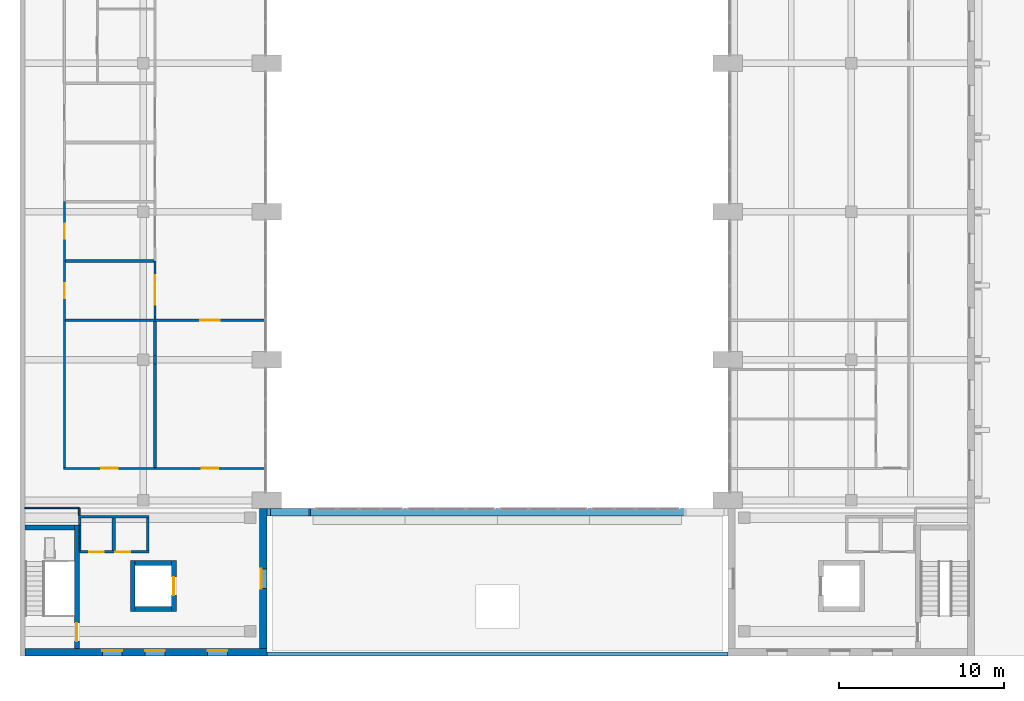
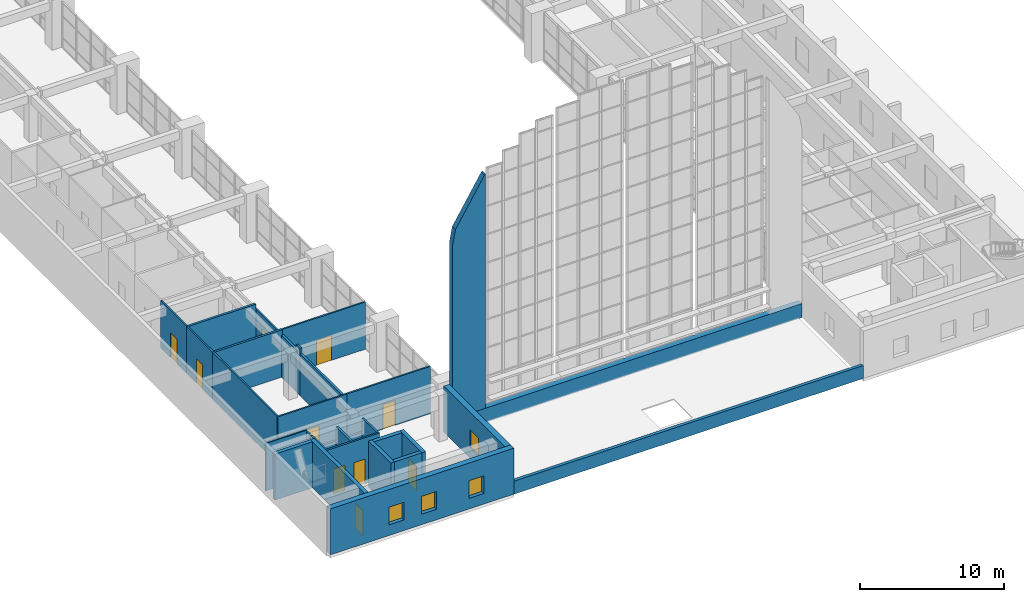
# One storey, part 25 of 45: 31 walls, 10 doors, 4 windows, 14 openings.
"""IFC4 building model written with IfcOpenShell, lengths in metres."""

from ifc_helpers import new_model, si_unit, direction, frame, frame_2d, origin, place, context, subcontext, project, spatial, polyline, rectangle, outline, extrude, material, layer, layer_set, type_object, element, fill, save


model = new_model("IFC4")

# Units and contexts
model_context = context("Model", 3, precision=1e-05, world=origin(), true_north=direction((0.0, 1.0)))
body_context = subcontext(model_context, "Body", "Model", "MODEL_VIEW")
ifc_project = project(units=[si_unit("LENGTHUNIT", "METRE"), si_unit("AREAUNIT", "SQUARE_METRE"), si_unit("VOLUMEUNIT", "CUBIC_METRE"), si_unit("PLANEANGLEUNIT", "RADIAN"), si_unit("MASSUNIT", "GRAM", prefix="KILO")], contexts=[model_context])

# Site, building, storey
site_placement = place(None, origin())
site = spatial("IfcSite", under=ifc_project, at=site_placement, CompositionType="ELEMENT")
building_placement = place(site_placement, origin())
building = spatial("IfcBuilding", under=site, at=building_placement, Name="Elmora Arch Market Hall", CompositionType="ELEMENT")
storey_placement = place(building_placement, frame((0.0, 0.0, 6.0)))
storey = spatial("IfcBuildingStorey", under=building, at=storey_placement, Name="L01", CompositionType="ELEMENT", Elevation=6.0)

# Walls
ifc_material_1 = material(Name="Blockwork", Category="masonry")
ifc_layer_1 = layer(ifc_material_1, 0.10009765625)
ifc_layer_set_1 = layer_set([ifc_layer_1], Name="Blockwork")
wall_type_1 = type_object("IfcWallType", Name="Blockwork partition 100 EI 120", PredefinedType="PARTITIONING", material=ifc_layer_set_1)
wall_1_placement = place(storey_placement, frame((3.64990234375, 24.39990234375, 0.0), z_axis=(0.0, 0.0, 1.0), x_axis=(0.0, 1.0, 0.0)))
element("IfcWall", 1, at=wall_1_placement, inside=storey, type_object=wall_type_1, Name="Riser wall L01 04", PredefinedType="PARTITIONING", context=body_context, shape_type="SweptSolid", body=[
    extrude(rectangle(XDim=1.550048828125, YDim=0.10009765625, at=frame_2d((0.77490234375, 0.0))), origin(), (0.0, 0.0, 1.0), 3.89990234375),
])
ifc_material_2 = material(Name="Blockwork", Category="masonry")
ifc_layer_2 = layer(ifc_material_2, 0.14990234375)
ifc_layer_set_2 = layer_set([ifc_layer_2], Name="Blockwork")
wall_type_2 = type_object("IfcWallType", Name="Blockwork partition 150 EI 120", PredefinedType="PARTITIONING", material=ifc_layer_set_2)
wall_2_placement = place(storey_placement, frame((3.625, 25.949951171875, 0.0), z_axis=(0.0, 0.0, 1.0), x_axis=(0.0, 1.0, 0.0)))
element("IfcWall", 2, at=wall_2_placement, inside=storey, type_object=wall_type_2, Name="Riser wall L01 01", PredefinedType="PARTITIONING", context=body_context, shape_type="SweptSolid", body=[
    extrude(rectangle(XDim=0.449951171875, YDim=0.14990234375, at=frame_2d((0.22509765625, 0.0))), origin(), (0.0, 0.0, 1.0), 3.89990234375),
])
wall_3_placement = place(storey_placement, frame((3.550048828125, 26.47509765625, 0.0), z_axis=(0.0, 0.0, 1.0), x_axis=(1.0, 0.0, 0.0)))
element("IfcWall", 3, at=wall_3_placement, inside=storey, type_object=wall_type_2, Name="Riser wall L01 02", PredefinedType="PARTITIONING", context=body_context, shape_type="SweptSolid", body=[
    extrude(rectangle(XDim=4.300048828125, YDim=0.14990234375, at=frame_2d((2.14990234375, 0.0))), origin(), (0.0, 0.0, 1.0), 2.699951171875),
])

# Wall, openings, doors
wall_4_placement = place(storey_placement, frame((3.60009765625, 24.324951171875, 0.0), z_axis=(0.0, 0.0, 1.0), x_axis=(1.0, 0.0, 0.0)))
wall_4 = element("IfcWall", 4, at=wall_4_placement, inside=storey, type_object=wall_type_2, Name="Riser wall L01 03", PredefinedType="PARTITIONING", context=body_context, shape_type="SweptSolid", body=[
    extrude(rectangle(XDim=4.25, YDim=0.14990234375, at=frame_2d((2.125, 0.0))), origin(), (0.0, 0.0, 1.0), 3.89990234375),
])
opening_1_placement = place(wall_4_placement, frame((0.60009765625, 0.0, 0.0)))
opening_1 = element("IfcOpeningElement", 5, at=opening_1_placement, cuts=wall_4, Name="Opening D-L01-001", PredefinedType="OPENING", context=body_context, shape_type="SweptSolid", body=[
    extrude(rectangle(XDim=0.89990234375, YDim=2.10009765625, at=frame_2d((0.449951171875, 1.050048828125))), frame((0.0, 0.0849609375, 0.0), z_axis=(0.0, -1.0, 0.0), x_axis=(1.0, 0.0, 0.0)), (0.0, 0.0, 1.0), 0.169921875),
])
opening_2_placement = place(wall_4_placement, frame((2.199951171875, 0.0, 0.0)))
opening_2 = element("IfcOpeningElement", 6, at=opening_2_placement, cuts=wall_4, Name="Opening D-L01-002", PredefinedType="OPENING", context=body_context, shape_type="SweptSolid", body=[
    extrude(rectangle(XDim=0.89990234375, YDim=2.10009765625, at=frame_2d((0.449951171875, 1.050048828125))), frame((0.0, 0.0849609375, 0.0), z_axis=(0.0, -1.0, 0.0), x_axis=(1.0, 0.0, 0.0)), (0.0, 0.0, 1.0), 0.169921875),
])
ifc_material_3 = material(Name="Steel ASTM A653 galvanised", Category="steel")
door_type_1 = type_object("IfcDoorType", Name="Door 900 x 2100 FD90", OperationType="SINGLE_SWING_LEFT", PredefinedType="DOOR", material=ifc_material_3)
door_1_placement = place(opening_1_placement, origin())
door_1 = element("IfcDoor", 7, at=door_1_placement, inside=storey, type_object=door_type_1, Name="Riser access door D-L01-001", OperationType="SINGLE_SWING_LEFT", OverallHeight=2.10009765625, OverallWidth=0.89990234375, PredefinedType="DOOR", context=body_context, shape_type="SweptSolid", body=[
    extrude(rectangle(XDim=0.89990234375, YDim=2.10009765625, at=frame_2d((0.449951171875, 1.050048828125))), frame((0.0, 0.02490234375, 0.0), z_axis=(0.0, -1.0, 0.0), x_axis=(1.0, 0.0, 0.0)), (0.0, 0.0, 1.0), 0.050048828125),
])
fill(opening_1, door_1)
door_2_placement = place(opening_2_placement, origin())
door_2 = element("IfcDoor", 8, at=door_2_placement, inside=storey, type_object=door_type_1, Name="Riser access door D-L01-002", OperationType="SINGLE_SWING_LEFT", OverallHeight=2.10009765625, OverallWidth=0.89990234375, PredefinedType="DOOR", context=body_context, shape_type="SweptSolid", body=[
    extrude(rectangle(XDim=0.89990234375, YDim=2.10009765625, at=frame_2d((0.449951171875, 1.050048828125))), frame((0.0, 0.02490234375, 0.0), z_axis=(0.0, -1.0, 0.0), x_axis=(1.0, 0.0, 0.0)), (0.0, 0.0, 1.0), 0.050048828125),
])
fill(opening_2, door_2)

# Walls
wall_5_placement = place(storey_placement, frame((7.77490234375, 24.39990234375, 0.0), z_axis=(0.0, 0.0, 1.0), x_axis=(0.0, 1.0, 0.0)))
element("IfcWall", 9, at=wall_5_placement, inside=storey, type_object=wall_type_2, Name="Riser wall L01 14", PredefinedType="PARTITIONING", context=body_context, shape_type="SweptSolid", body=[
    extrude(rectangle(XDim=2.0, YDim=0.14990234375, at=frame_2d((1.0, 0.0))), origin(), (0.0, 0.0, 1.0), 3.89990234375),
])
ifc_material_4 = material(Name="Blockwork", Category="masonry")
ifc_layer_3 = layer(ifc_material_4, 0.199951171875)
ifc_layer_set_3 = layer_set([ifc_layer_3], Name="Blockwork")
wall_type_3 = type_object("IfcWallType", Name="Blockwork partition 200 EI 120", PredefinedType="PARTITIONING", material=ifc_layer_set_3)
wall_6_placement = place(storey_placement, frame((5.699951171875, 24.39990234375, 0.0), z_axis=(0.0, 0.0, 1.0), x_axis=(0.0, 1.0, 0.0)))
element("IfcWall", 10, at=wall_6_placement, inside=storey, type_object=wall_type_3, Name="Riser wall L01 11", PredefinedType="PARTITIONING", context=body_context, shape_type="SweptSolid", body=[
    extrude(rectangle(XDim=2.0, YDim=0.199951171875, at=frame_2d((1.0, 0.0))), origin(), (0.0, 0.0, 1.0), 3.89990234375),
])
ifc_material_5 = material(Name="Concrete C40/50", Category="concrete")
ifc_layer_4 = layer(ifc_material_5, 0.449951171875)
ifc_layer_set_4 = layer_set([ifc_layer_4], Name="Concrete C40/50")
wall_type_4 = type_object("IfcWallType", Name="Board-marked concrete wall 450", PredefinedType="SOLIDWALL", material=ifc_layer_set_4)
wall_7_placement = place(storey_placement, frame((43.0, 26.72509765625, 0.0), z_axis=(0.0, 0.0, 1.0), x_axis=(-1.0, 0.0, 0.0)))
element("IfcWall", 11, at=wall_7_placement, inside=storey, type_object=wall_type_4, Name="South gable kerb wall", PredefinedType="SOLIDWALL", context=body_context, shape_type="SweptSolid", body=[
    extrude(rectangle(XDim=28.0, YDim=0.449951171875, at=frame_2d((14.0, 0.0))), origin(), (0.0, 0.0, 1.0), 1.199951171875),
])

# Wall, openings, windows
wall_8_placement = place(storey_placement, frame((15.0, 18.22509765625, 0.0), z_axis=(0.0, 0.0, 1.0), x_axis=(-1.0, 0.0, 0.0)))
wall_8 = element("IfcWall", 12, at=wall_8_placement, inside=storey, type_object=wall_type_4, Name="Facade wall south SW L01", PredefinedType="SOLIDWALL", context=body_context, shape_type="SweptSolid", body=[
    extrude(rectangle(XDim=14.699951171875, YDim=0.449951171875, at=frame_2d((7.35009765625, 0.0))), origin(), (0.0, 0.0, 1.0), 3.89990234375),
])
opening_3_placement = place(wall_8_placement, frame((8.800048828125, 0.0, 0.89990234375)))
opening_3 = element("IfcOpeningElement", 13, at=opening_3_placement, cuts=wall_8, Name="Opening WC1", PredefinedType="OPENING", context=body_context, shape_type="SweptSolid", body=[
    extrude(rectangle(XDim=1.199951171875, YDim=1.5, at=frame_2d((0.60009765625, 0.75))), frame((0.0, 0.23486328125, 0.0), z_axis=(0.0, -1.0, 0.0), x_axis=(1.0, 0.0, 0.0)), (0.0, 0.0, 1.0), 0.469970703125),
])
opening_4_placement = place(wall_8_placement, frame((6.199951171875, 0.0, 0.89990234375)))
opening_4 = element("IfcOpeningElement", 14, at=opening_4_placement, cuts=wall_8, Name="Opening WC1", PredefinedType="OPENING", context=body_context, shape_type="SweptSolid", body=[
    extrude(rectangle(XDim=1.199951171875, YDim=1.5, at=frame_2d((0.60009765625, 0.75))), frame((0.0, 0.23486328125, 0.0), z_axis=(0.0, -1.0, 0.0), x_axis=(1.0, 0.0, 0.0)), (0.0, 0.0, 1.0), 0.469970703125),
])
opening_5_placement = place(wall_8_placement, frame((2.39990234375, 0.0, 0.89990234375)))
opening_5 = element("IfcOpeningElement", 15, at=opening_5_placement, cuts=wall_8, Name="Opening WC1", PredefinedType="OPENING", context=body_context, shape_type="SweptSolid", body=[
    extrude(rectangle(XDim=1.199951171875, YDim=1.5, at=frame_2d((0.60009765625, 0.75))), frame((0.0, 0.23486328125, 0.0), z_axis=(0.0, -1.0, 0.0), x_axis=(1.0, 0.0, 0.0)), (0.0, 0.0, 1.0), 0.469970703125),
])
ifc_material_6 = material(Name="Aluminium", Category="aluminium")
window_type = type_object("IfcWindowType", Name="Corner block window 1200x1500", PartitioningType="SINGLE_PANEL", PredefinedType="WINDOW", material=ifc_material_6)
window_1_placement = place(opening_3_placement, origin())
window_1 = element("IfcWindow", 16, at=window_1_placement, inside=storey, type_object=window_type, Name="Window WC1 L01 S45", OverallHeight=1.5, OverallWidth=1.199951171875, PartitioningType="SINGLE_PANEL", PredefinedType="WINDOW", context=body_context, shape_type="SweptSolid", body=[
    extrude(rectangle(XDim=1.199951171875, YDim=1.5, at=frame_2d((0.60009765625, 0.75))), frame((0.0, -0.074951171875, 0.0), z_axis=(0.0, -1.0, 0.0), x_axis=(1.0, 0.0, 0.0)), (0.0, 0.0, 1.0), 0.06005859375),
])
fill(opening_3, window_1)
window_2_placement = place(opening_4_placement, origin())
window_2 = element("IfcWindow", 17, at=window_2_placement, inside=storey, type_object=window_type, Name="Window WC1 L01 S46", OverallHeight=1.5, OverallWidth=1.199951171875, PartitioningType="SINGLE_PANEL", PredefinedType="WINDOW", context=body_context, shape_type="SweptSolid", body=[
    extrude(rectangle(XDim=1.199951171875, YDim=1.5, at=frame_2d((0.60009765625, 0.75))), frame((0.0, -0.074951171875, 0.0), z_axis=(0.0, -1.0, 0.0), x_axis=(1.0, 0.0, 0.0)), (0.0, 0.0, 1.0), 0.06005859375),
])
fill(opening_4, window_2)
window_3_placement = place(opening_5_placement, origin())
window_3 = element("IfcWindow", 18, at=window_3_placement, inside=storey, type_object=window_type, Name="Window WC1 L01 S47", OverallHeight=1.5, OverallWidth=1.199951171875, PartitioningType="SINGLE_PANEL", PredefinedType="WINDOW", context=body_context, shape_type="SweptSolid", body=[
    extrude(rectangle(XDim=1.199951171875, YDim=1.5, at=frame_2d((0.60009765625, 0.75))), frame((0.0, -0.074951171875, 0.0), z_axis=(0.0, -1.0, 0.0), x_axis=(1.0, 0.0, 0.0)), (0.0, 0.0, 1.0), 0.06005859375),
])
fill(opening_5, window_3)

# Wall, opening, window
wall_9_placement = place(storey_placement, frame((14.77490234375, 26.949951171875, 0.0), z_axis=(0.0, 0.0, 1.0), x_axis=(0.0, -1.0, 0.0)))
wall_9 = element("IfcWall", 19, at=wall_9_placement, inside=storey, type_object=wall_type_4, Name="Facade wall SW E face L01", PredefinedType="SOLIDWALL", context=body_context, shape_type="SweptSolid", body=[
    extrude(rectangle(XDim=8.5, YDim=0.449951171875, at=frame_2d((4.25, 0.0))), origin(), (0.0, 0.0, 1.0), 3.89990234375),
])
opening_6_placement = place(wall_9_placement, frame((3.64990234375, 0.0, 0.89990234375)))
opening_6 = element("IfcOpeningElement", 20, at=opening_6_placement, cuts=wall_9, Name="Opening WC1", PredefinedType="OPENING", context=body_context, shape_type="SweptSolid", body=[
    extrude(rectangle(XDim=1.199951171875, YDim=1.5, at=frame_2d((0.60009765625, 0.75))), frame((0.0, 0.23486328125, 0.0), z_axis=(0.0, -1.0, 0.0), x_axis=(1.0, 0.0, 0.0)), (0.0, 0.0, 1.0), 0.469970703125),
])
window_4_placement = place(opening_6_placement, origin())
window_4 = element("IfcWindow", 21, at=window_4_placement, inside=storey, type_object=window_type, Name="Window WC1 L01 E48", OverallHeight=1.5, OverallWidth=1.199951171875, PartitioningType="SINGLE_PANEL", PredefinedType="WINDOW", context=body_context, shape_type="SweptSolid", body=[
    extrude(rectangle(XDim=1.199951171875, YDim=1.5, at=frame_2d((0.60009765625, 0.75))), frame((0.0, -0.074951171875, 0.0), z_axis=(0.0, -1.0, 0.0), x_axis=(1.0, 0.0, 0.0)), (0.0, 0.0, 1.0), 0.06005859375),
])
fill(opening_6, window_4)

# Walls
wall_10_placement = place(storey_placement, frame((15.0, 26.72509765625, 1.199951171875), z_axis=(0.0, 0.0, 1.0), x_axis=(1.0, 0.0, 0.0)))
element("IfcWall", 22, at=wall_10_placement, inside=storey, type_object=wall_type_4, Name="South gable cheek wall W", PredefinedType="SOLIDWALL", context=body_context, shape_type="SweptSolid", body=[
    extrude(outline(polyline([(0.0, 0.0), (2.64990234375, 0.0), (2.64990234375, 19.83740234375), (2.549560546875, 19.763427734375), (0.23046875, 15.968505859375), (0.0, 14.733154296875), (0.0, 0.0)])), frame((0.0, 0.22509765625, 0.0), z_axis=(0.0, -1.0, 0.0), x_axis=(1.0, 0.0, 0.0)), (0.0, 0.0, 1.0), 0.449951171875),
])
ifc_material_7 = material(Name="Concrete C40/50", Category="concrete")
ifc_layer_5 = layer(ifc_material_7, 0.25)
ifc_layer_set_5 = layer_set([ifc_layer_5], Name="Concrete C40/50")
wall_type_5 = type_object("IfcWallType", Name="Concrete parapet 250", PredefinedType="PARAPET", material=ifc_layer_set_5)
wall_11_placement = place(storey_placement, frame((43.0, 18.125, 0.0), z_axis=(0.0, 0.0, 1.0), x_axis=(-1.0, 0.0, 0.0)))
element("IfcWall", 23, at=wall_11_placement, inside=storey, type_object=wall_type_5, Name="Dock roof parapet south", PredefinedType="PARAPET", context=body_context, shape_type="SweptSolid", body=[
    extrude(rectangle(XDim=28.0, YDim=0.25, at=frame_2d((14.0, 0.0))), origin(), (0.0, 0.0, 1.0), 1.10009765625),
])
ifc_material_8 = material(Name="Concrete C40/50", Category="concrete")
ifc_layer_6 = layer(ifc_material_8, 0.300048828125)
ifc_layer_set_6 = layer_set([ifc_layer_6], Name="Concrete C40/50")
wall_type_6 = type_object("IfcWallType", Name="Lift shaft wall 300", PredefinedType="SHEAR", material=ifc_layer_set_6)
wall_12_placement = place(storey_placement, frame((6.85009765625, 20.699951171875, 0.0), z_axis=(0.0, 0.0, 1.0), x_axis=(0.0, 1.0, 0.0)))
element("IfcWall", 24, at=wall_12_placement, inside=storey, type_object=wall_type_6, Name="Lift shaft wall WL1 W L01", PredefinedType="SHEAR", context=body_context, shape_type="SweptSolid", body=[
    extrude(rectangle(XDim=3.10009765625, YDim=0.300048828125, at=frame_2d((1.550048828125, 0.0))), origin(), (0.0, 0.0, 1.0), 3.89990234375),
])

# Wall, opening, door
wall_13_placement = place(storey_placement, frame((9.35009765625, 20.699951171875, 0.0), z_axis=(0.0, 0.0, 1.0), x_axis=(0.0, 1.0, 0.0)))
wall_13 = element("IfcWall", 25, at=wall_13_placement, inside=storey, type_object=wall_type_6, Name="Lift shaft wall WL1 E L01", PredefinedType="SHEAR", context=body_context, shape_type="SweptSolid", body=[
    extrude(rectangle(XDim=3.10009765625, YDim=0.300048828125, at=frame_2d((1.550048828125, 0.0))), origin(), (0.0, 0.0, 1.0), 3.89990234375),
])
opening_7_placement = place(wall_13_placement, frame((1.0, 0.0, 0.0)))
opening_7 = element("IfcOpeningElement", 26, at=opening_7_placement, cuts=wall_13, Name="Opening LD-WL1-L01", PredefinedType="OPENING", context=body_context, shape_type="SweptSolid", body=[
    extrude(rectangle(XDim=1.10009765625, YDim=2.10009765625, at=frame_2d((0.550048828125, 1.050048828125))), frame((0.0, 0.159912109375, 0.0), z_axis=(0.0, -1.0, 0.0), x_axis=(1.0, 0.0, 0.0)), (0.0, 0.0, 1.0), 0.320068359375),
])
ifc_material_9 = material(Name="Stainless steel ASTM A240 Type 304", Category="steel")
door_type_2 = type_object("IfcDoorType", Name="Lift landing door 1100 x 2100 FD90", OperationType="SLIDING_TO_LEFT", PredefinedType="DOOR", material=ifc_material_9)
door_3_placement = place(opening_7_placement, origin())
door_3 = element("IfcDoor", 27, at=door_3_placement, inside=storey, type_object=door_type_2, Name="Landing door WL1 L01", OperationType="SLIDING_TO_LEFT", OverallHeight=2.10009765625, OverallWidth=1.10009765625, PredefinedType="DOOR", context=body_context, shape_type="SweptSolid", body=[
    extrude(rectangle(XDim=1.10009765625, YDim=2.10009765625, at=frame_2d((0.550048828125, 1.050048828125))), frame((0.0, 0.02490234375, 0.0), z_axis=(0.0, -1.0, 0.0), x_axis=(1.0, 0.0, 0.0)), (0.0, 0.0, 1.0), 0.050048828125),
])
fill(opening_7, door_3)

# Walls
for number, where, z_axis, x_axis, name in (
    (28, (7.0, 20.85009765625, 0.0), (0.0, 0.0, 1.0), (1.0, 0.0, 0.0), "Lift shaft wall WL1 S L01"),
    (29, (7.0, 23.64990234375, 0.0), (0.0, 0.0, 1.0), (1.0, 0.0, 0.0), "Lift shaft wall WL1 N L01"),
):
    element("IfcWall", number, at=place(storey_placement, frame(where, z_axis=z_axis, x_axis=x_axis)), inside=storey, type_object=wall_type_6, Name=name, PredefinedType="SHEAR", context=body_context, shape_type="SweptSolid", body=[
        extrude(rectangle(XDim=2.199951171875, YDim=0.300048828125, at=frame_2d((1.10009765625, 0.0))), origin(), (0.0, 0.0, 1.0), 3.89990234375),
    ])
ifc_material_10 = material(Name="Gypsum board on metal studs")
ifc_layer_7 = layer(ifc_material_10, 0.10009765625)
ifc_layer_set_7 = layer_set([ifc_layer_7], Name="Gypsum board on metal studs")
wall_type_7 = type_object("IfcWallType", Name="Partition 100", PredefinedType="PARTITIONING", material=ifc_layer_set_7)
wall_14_placement = place(storey_placement, frame((0.300048828125, 27.0, 0.0), z_axis=(0.0, 0.0, 1.0), x_axis=(1.0, 0.0, 0.0)))
element("IfcWall", 30, at=wall_14_placement, inside=storey, type_object=wall_type_7, Name="Partition PT-L01-001", PredefinedType="PARTITIONING", context=body_context, shape_type="SweptSolid", body=[
    extrude(rectangle(XDim=3.2900390625, YDim=0.10009765625, at=frame_2d((1.64501953125, 0.0))), origin(), (0.0, 0.0, 1.0), 4.0),
])
wall_15_placement = place(storey_placement, frame((3.60009765625, 26.550048828125, 0.0), z_axis=(0.0, 0.0, 1.0), x_axis=(0.0, 1.0, 0.0)))
element("IfcWall", 31, at=wall_15_placement, inside=storey, type_object=wall_type_7, Name="Partition PT-L01-089", PredefinedType="PARTITIONING", context=body_context, shape_type="SweptSolid", body=[
    extrude(rectangle(XDim=0.43994140625, YDim=0.10009765625, at=frame_2d((0.219970703125, 0.0))), origin(), (0.0, 0.0, 1.0), 3.89990234375),
])

# Wall, opening, door
ifc_material_11 = material(Name="Gypsum board on metal studs")
ifc_layer_8 = layer(ifc_material_11, 0.125)
ifc_layer_set_8 = layer_set([ifc_layer_8], Name="Gypsum board on metal studs")
wall_type_8 = type_object("IfcWallType", Name="Partition 125 EI 60", PredefinedType="PARTITIONING", material=ifc_layer_set_8)
wall_16_placement = place(storey_placement, frame((2.637451171875, 29.39990234375, 0.0), z_axis=(0.0, 0.0, 1.0), x_axis=(1.0, 0.0, 0.0)))
wall_16 = element("IfcWall", 32, at=wall_16_placement, inside=storey, type_object=wall_type_8, Name="Partition PT-L01-003", PredefinedType="PARTITIONING", context=body_context, shape_type="SweptSolid", body=[
    extrude(rectangle(XDim=5.5625, YDim=0.125, at=frame_2d((2.78125, 0.0))), origin(), (0.0, 0.0, 1.0), 4.0),
])
opening_8_placement = place(wall_16_placement, frame((2.3125, 0.0, 0.0)))
opening_8 = element("IfcOpeningElement", 33, at=opening_8_placement, cuts=wall_16, Name="Opening D-L01-005", PredefinedType="OPENING", context=body_context, shape_type="SweptSolid", body=[
    extrude(rectangle(XDim=1.0, YDim=2.10009765625, at=frame_2d((0.5, 1.050048828125))), frame((0.0, 0.072509765625, 0.0), z_axis=(0.0, -1.0, 0.0), x_axis=(1.0, 0.0, 0.0)), (0.0, 0.0, 1.0), 0.14501953125),
])
ifc_material_12 = material(Name="Steel ASTM A653 galvanised", Category="steel")
door_type_3 = type_object("IfcDoorType", Name="Door 1000 x 2100 FD45", OperationType="SINGLE_SWING_LEFT", PredefinedType="DOOR", material=ifc_material_12)
door_4_placement = place(opening_8_placement, origin())
door_4 = element("IfcDoor", 34, at=door_4_placement, inside=storey, type_object=door_type_3, Name="D-L01-005", OperationType="SINGLE_SWING_RIGHT", OverallHeight=2.10009765625, OverallWidth=1.0, PredefinedType="DOOR", context=body_context, shape_type="SweptSolid", body=[
    extrude(rectangle(XDim=1.0, YDim=2.10009765625, at=frame_2d((0.5, 1.050048828125))), frame((0.0, 0.02490234375, 0.0), z_axis=(0.0, -1.0, 0.0), x_axis=(1.0, 0.0, 0.0)), (0.0, 0.0, 1.0), 0.050048828125),
])
fill(opening_8, door_4)

wall_17_placement = place(storey_placement, frame((8.199951171875, 29.39990234375, 0.0), z_axis=(0.0, 0.0, 1.0), x_axis=(1.0, 0.0, 0.0)))
wall_17 = element("IfcWall", 35, at=wall_17_placement, inside=storey, type_object=wall_type_8, Name="Partition PT-L01-004", PredefinedType="PARTITIONING", context=body_context, shape_type="SweptSolid", body=[
    extrude(rectangle(XDim=6.650146484375, YDim=0.125, at=frame_2d((3.3251953125, 0.0))), origin(), (0.0, 0.0, 1.0), 4.0),
])
opening_9_placement = place(wall_17_placement, frame((2.85009765625, 0.0, 0.0)))
opening_9 = element("IfcOpeningElement", 36, at=opening_9_placement, cuts=wall_17, Name="Opening D-L01-006", PredefinedType="OPENING", context=body_context, shape_type="SweptSolid", body=[
    extrude(rectangle(XDim=1.0, YDim=2.10009765625, at=frame_2d((0.5, 1.050048828125))), frame((0.0, 0.072509765625, 0.0), z_axis=(0.0, -1.0, 0.0), x_axis=(1.0, 0.0, 0.0)), (0.0, 0.0, 1.0), 0.14501953125),
])
door_5_placement = place(opening_9_placement, origin())
door_5 = element("IfcDoor", 37, at=door_5_placement, inside=storey, type_object=door_type_3, Name="D-L01-006", OperationType="SINGLE_SWING_LEFT", OverallHeight=2.10009765625, OverallWidth=1.0, PredefinedType="DOOR", context=body_context, shape_type="SweptSolid", body=[
    extrude(rectangle(XDim=1.0, YDim=2.10009765625, at=frame_2d((0.5, 1.050048828125))), frame((0.0, 0.02490234375, 0.0), z_axis=(0.0, -1.0, 0.0), x_axis=(1.0, 0.0, 0.0)), (0.0, 0.0, 1.0), 0.050048828125),
])
fill(opening_9, door_5)

wall_18_placement = place(storey_placement, frame((8.199951171875, 38.39990234375, 0.0), z_axis=(0.0, 0.0, 1.0), x_axis=(1.0, 0.0, 0.0)))
wall_18 = element("IfcWall", 38, at=wall_18_placement, inside=storey, type_object=wall_type_8, Name="Partition PT-L01-010", PredefinedType="PARTITIONING", context=body_context, shape_type="SweptSolid", body=[
    extrude(rectangle(XDim=6.650146484375, YDim=0.125, at=frame_2d((3.3251953125, 0.0))), origin(), (0.0, 0.0, 1.0), 4.0),
])
opening_10_placement = place(wall_18_placement, frame((2.75, 0.0, 0.0)))
opening_10 = element("IfcOpeningElement", 39, at=opening_10_placement, cuts=wall_18, Name="Opening D-L01-011", PredefinedType="OPENING", context=body_context, shape_type="SweptSolid", body=[
    extrude(rectangle(XDim=1.199951171875, YDim=2.10009765625, at=frame_2d((0.60009765625, 1.050048828125))), frame((0.0, 0.072509765625, 0.0), z_axis=(0.0, -1.0, 0.0), x_axis=(1.0, 0.0, 0.0)), (0.0, 0.0, 1.0), 0.14501953125),
])
ifc_material_13 = material(Name="Steel ASTM A653 galvanised", Category="steel")
door_type_4 = type_object("IfcDoorType", Name="Door 1200 x 2100 FD45", OperationType="SINGLE_SWING_LEFT", PredefinedType="DOOR", material=ifc_material_13)
door_6_placement = place(opening_10_placement, frame((1.199951171875, 0.0, 0.0), z_axis=(0.0, 0.0, 1.0), x_axis=(-1.0, 0.0, 0.0)))
door_6 = element("IfcDoor", 40, at=door_6_placement, inside=storey, type_object=door_type_4, Name="D-L01-011", OperationType="SINGLE_SWING_RIGHT", OverallHeight=2.10009765625, OverallWidth=1.199951171875, PredefinedType="DOOR", context=body_context, shape_type="SweptSolid", body=[
    extrude(rectangle(XDim=1.199951171875, YDim=2.10009765625, at=frame_2d((0.60009765625, 1.050048828125))), frame((0.0, 0.02490234375, 0.0), z_axis=(0.0, -1.0, 0.0), x_axis=(1.0, 0.0, 0.0)), (0.0, 0.0, 1.0), 0.050048828125),
])
fill(opening_10, door_6)

# Wall
wall_19_placement = place(storey_placement, frame((2.699951171875, 29.46240234375, 0.0), z_axis=(0.0, 0.0, 1.0), x_axis=(0.0, 1.0, 0.0)))
element("IfcWall", 41, at=wall_19_placement, inside=storey, type_object=wall_type_8, Name="Partition PT-L01-081", PredefinedType="PARTITIONING", context=body_context, shape_type="SweptSolid", body=[
    extrude(rectangle(XDim=8.9375, YDim=0.125, at=frame_2d((4.46875, 0.0))), origin(), (0.0, 0.0, 1.0), 4.0),
])

# Wall, opening, door
wall_20_placement = place(storey_placement, frame((2.699951171875, 38.39990234375, 0.0), z_axis=(0.0, 0.0, 1.0), x_axis=(0.0, 1.0, 0.0)))
wall_20 = element("IfcWall", 42, at=wall_20_placement, inside=storey, type_object=wall_type_8, Name="Partition PT-L01-082", PredefinedType="PARTITIONING", context=body_context, shape_type="SweptSolid", body=[
    extrude(rectangle(XDim=3.60009765625, YDim=0.125, at=frame_2d((1.800048828125, 0.0))), origin(), (0.0, 0.0, 1.0), 4.0),
])
opening_11_placement = place(wall_20_placement, frame((1.35009765625, 0.0, 0.0)))
opening_11 = element("IfcOpeningElement", 43, at=opening_11_placement, cuts=wall_20, Name="Opening D-L01-012", PredefinedType="OPENING", context=body_context, shape_type="SweptSolid", body=[
    extrude(rectangle(XDim=0.89990234375, YDim=2.10009765625, at=frame_2d((0.449951171875, 1.050048828125))), frame((0.0, 0.072509765625, 0.0), z_axis=(0.0, -1.0, 0.0), x_axis=(1.0, 0.0, 0.0)), (0.0, 0.0, 1.0), 0.14501953125),
])
ifc_material_14 = material(Name="Steel ASTM A653 galvanised", Category="steel")
door_type_5 = type_object("IfcDoorType", Name="Door 900 x 2100 FD45", OperationType="SINGLE_SWING_LEFT", PredefinedType="DOOR", material=ifc_material_14)
door_7_placement = place(opening_11_placement, frame((0.89990234375, 0.0, 0.0), z_axis=(0.0, 0.0, 1.0), x_axis=(-1.0, 0.0, 0.0)))
door_7 = element("IfcDoor", 44, at=door_7_placement, inside=storey, type_object=door_type_5, Name="D-L01-012", OperationType="SINGLE_SWING_RIGHT", OverallHeight=2.10009765625, OverallWidth=0.89990234375, PredefinedType="DOOR", context=body_context, shape_type="SweptSolid", body=[
    extrude(rectangle(XDim=0.89990234375, YDim=2.10009765625, at=frame_2d((0.449951171875, 1.050048828125))), frame((0.0, 0.02490234375, 0.0), z_axis=(0.0, -1.0, 0.0), x_axis=(1.0, 0.0, 0.0)), (0.0, 0.0, 1.0), 0.050048828125),
])
fill(opening_11, door_7)

wall_21_placement = place(storey_placement, frame((2.699951171875, 42.0, 0.0), z_axis=(0.0, 0.0, 1.0), x_axis=(0.0, 1.0, 0.0)))
wall_21 = element("IfcWall", 45, at=wall_21_placement, inside=storey, type_object=wall_type_8, Name="Partition PT-L01-083", PredefinedType="PARTITIONING", context=body_context, shape_type="SweptSolid", body=[
    extrude(rectangle(XDim=3.60009765625, YDim=0.125, at=frame_2d((1.800048828125, 0.0))), origin(), (0.0, 0.0, 1.0), 4.0),
])
opening_12_placement = place(wall_21_placement, frame((1.35009765625, 0.0, 0.0)))
opening_12 = element("IfcOpeningElement", 46, at=opening_12_placement, cuts=wall_21, Name="Opening D-L01-015", PredefinedType="OPENING", context=body_context, shape_type="SweptSolid", body=[
    extrude(rectangle(XDim=0.89990234375, YDim=2.10009765625, at=frame_2d((0.449951171875, 1.050048828125))), frame((0.0, 0.072509765625, 0.0), z_axis=(0.0, -1.0, 0.0), x_axis=(1.0, 0.0, 0.0)), (0.0, 0.0, 1.0), 0.14501953125),
])
door_8_placement = place(opening_12_placement, frame((0.89990234375, 0.0, 0.0), z_axis=(0.0, 0.0, 1.0), x_axis=(-1.0, 0.0, 0.0)))
door_8 = element("IfcDoor", 47, at=door_8_placement, inside=storey, type_object=door_type_5, Name="D-L01-015", OperationType="SINGLE_SWING_RIGHT", OverallHeight=2.10009765625, OverallWidth=0.89990234375, PredefinedType="DOOR", context=body_context, shape_type="SweptSolid", body=[
    extrude(rectangle(XDim=0.89990234375, YDim=2.10009765625, at=frame_2d((0.449951171875, 1.050048828125))), frame((0.0, 0.02490234375, 0.0), z_axis=(0.0, -1.0, 0.0), x_axis=(1.0, 0.0, 0.0)), (0.0, 0.0, 1.0), 0.050048828125),
])
fill(opening_12, door_8)

wall_22_placement = place(storey_placement, frame((8.199951171875, 38.487548828125, 0.0), z_axis=(0.0, 0.0, 1.0), x_axis=(0.0, 1.0, 0.0)))
wall_22 = element("IfcWall", 48, at=wall_22_placement, inside=storey, type_object=wall_type_8, Name="Partition PT-L01-095", PredefinedType="PARTITIONING", context=body_context, shape_type="SweptSolid", body=[
    extrude(rectangle(XDim=3.512451171875, YDim=0.125, at=frame_2d((1.75634765625, 0.0))), origin(), (0.0, 0.0, 1.0), 3.567138671875),
])
opening_13_placement = place(wall_22_placement, frame((0.85009765625, 0.0, 0.0)))
opening_13 = element("IfcOpeningElement", 49, at=opening_13_placement, cuts=wall_22, Name="Opening D-L01-013", PredefinedType="OPENING", context=body_context, shape_type="SweptSolid", body=[
    extrude(rectangle(XDim=1.800048828125, YDim=2.39990234375, at=frame_2d((0.89990234375, 1.199951171875))), frame((0.0, 0.072509765625, 0.0), z_axis=(0.0, -1.0, 0.0), x_axis=(1.0, 0.0, 0.0)), (0.0, 0.0, 1.0), 0.14501953125),
])
ifc_material_15 = material(Name="Aluminium roller shutter", Category="aluminium")
door_type_6 = type_object("IfcDoorType", Name="Roller shutter 1800 x 2400", OperationType="ROLLINGUP", PredefinedType="DOOR", material=ifc_material_15)
door_9_placement = place(opening_13_placement, origin())
door_9 = element("IfcDoor", 50, at=door_9_placement, inside=storey, type_object=door_type_6, Name="D-L01-013", OperationType="ROLLINGUP", OverallHeight=2.39990234375, OverallWidth=1.800048828125, PredefinedType="DOOR", context=body_context, shape_type="SweptSolid", body=[
    extrude(rectangle(XDim=1.800048828125, YDim=2.39990234375, at=frame_2d((0.89990234375, 1.199951171875))), frame((0.0, 0.02490234375, 0.0), z_axis=(0.0, -1.0, 0.0), x_axis=(1.0, 0.0, 0.0)), (0.0, 0.0, 1.0), 0.050048828125),
])
fill(opening_13, door_9)

# Walls
ifc_material_16 = material(Name="Gypsum board on metal studs")
ifc_layer_9 = layer(ifc_material_16, 0.175048828125)
ifc_layer_set_9 = layer_set([ifc_layer_9], Name="Gypsum board on metal studs")
wall_type_9 = type_object("IfcWallType", Name="Partition 175 EI 60", PredefinedType="PARTITIONING", material=ifc_layer_set_9)
wall_23_placement = place(storey_placement, frame((2.762451171875, 38.39990234375, 0.0), z_axis=(0.0, 0.0, 1.0), x_axis=(1.0, 0.0, 0.0)))
element("IfcWall", 51, at=wall_23_placement, inside=storey, type_object=wall_type_9, Name="Partition PT-L01-009", PredefinedType="PARTITIONING", context=body_context, shape_type="SweptSolid", body=[
    extrude(rectangle(XDim=5.4375, YDim=0.175048828125, at=frame_2d((2.71875, 0.0))), origin(), (0.0, 0.0, 1.0), 4.0),
])
wall_24_placement = place(storey_placement, frame((2.762451171875, 42.0, 0.0), z_axis=(0.0, 0.0, 1.0), x_axis=(1.0, 0.0, 0.0)))
element("IfcWall", 52, at=wall_24_placement, inside=storey, type_object=wall_type_9, Name="Partition PT-L01-013", PredefinedType="PARTITIONING", context=body_context, shape_type="SweptSolid", body=[
    extrude(rectangle(XDim=5.375, YDim=0.175048828125, at=frame_2d((2.6875, 0.0))), origin(), (0.0, 0.0, 1.0), 4.0),
])
wall_25_placement = place(storey_placement, frame((8.199951171875, 29.46240234375, 0.0), z_axis=(0.0, 0.0, 1.0), x_axis=(0.0, 1.0, 0.0)))
element("IfcWall", 53, at=wall_25_placement, inside=storey, type_object=wall_type_9, Name="Partition PT-L01-094", PredefinedType="PARTITIONING", context=body_context, shape_type="SweptSolid", body=[
    extrude(rectangle(XDim=6.2744140625, YDim=0.175048828125, at=frame_2d((3.13720703125, 0.0))), origin(), (0.0, 0.0, 1.0), 3.567138671875),
])
wall_26_placement = place(storey_placement, frame((8.199951171875, 35.73681640625, 0.0), z_axis=(0.0, 0.0, 1.0), x_axis=(0.0, 1.0, 0.0)))
element("IfcWall", 54, at=wall_26_placement, inside=storey, type_object=wall_type_9, Name="Partition PT-L01-094.2", PredefinedType="PARTITIONING", context=body_context, shape_type="SweptSolid", body=[
    extrude(rectangle(XDim=0.5263671875, YDim=0.175048828125, at=frame_2d((0.26318359375, 0.0))), origin(), (0.0, 0.0, 1.0), 4.0),
])
wall_27_placement = place(storey_placement, frame((8.199951171875, 36.26318359375, 0.0), z_axis=(0.0, 0.0, 1.0), x_axis=(0.0, 1.0, 0.0)))
element("IfcWall", 55, at=wall_27_placement, inside=storey, type_object=wall_type_9, Name="Partition PT-L01-094.3", PredefinedType="PARTITIONING", context=body_context, shape_type="SweptSolid", body=[
    extrude(rectangle(XDim=2.04931640625, YDim=0.175048828125, at=frame_2d((1.024658203125, 0.0))), origin(), (0.0, 0.0, 1.0), 3.567138671875),
])

# Wall, opening, door
ifc_material_17 = material(Name="Concrete C40/50", Category="concrete")
ifc_layer_10 = layer(ifc_material_17, 0.300048828125)
ifc_layer_set_10 = layer_set([ifc_layer_10], Name="Concrete C40/50")
wall_type_10 = type_object("IfcWallType", Name="Stair wall 300", PredefinedType="SHEAR", material=ifc_layer_set_10)
wall_28_placement = place(storey_placement, frame((3.449951171875, 18.449951171875, 0.0), z_axis=(0.0, 0.0, 1.0), x_axis=(0.0, 1.0, 0.0)))
wall_28 = element("IfcWall", 56, at=wall_28_placement, inside=storey, type_object=wall_type_10, Name="Stair wall ST-WS E L01", PredefinedType="SHEAR", context=body_context, shape_type="SweptSolid", body=[
    extrude(rectangle(XDim=7.5, YDim=0.300048828125, at=frame_2d((3.75, 0.0))), origin(), (0.0, 0.0, 1.0), 3.89990234375),
])
opening_14_placement = place(wall_28_placement, frame((0.449951171875, 0.0, 0.0)))
opening_14 = element("IfcOpeningElement", 57, at=opening_14_placement, cuts=wall_28, Name="Opening ST-WS-L01", PredefinedType="OPENING", context=body_context, shape_type="SweptSolid", body=[
    extrude(rectangle(XDim=1.10009765625, YDim=2.10009765625, at=frame_2d((0.550048828125, 1.050048828125))), frame((0.0, 0.159912109375, 0.0), z_axis=(0.0, -1.0, 0.0), x_axis=(1.0, 0.0, 0.0)), (0.0, 0.0, 1.0), 0.320068359375),
])
ifc_material_18 = material(Name="Steel ASTM A653 galvanised", Category="steel")
door_type_7 = type_object("IfcDoorType", Name="Stair door 1100 x 2100 FD90", OperationType="SINGLE_SWING_LEFT", PredefinedType="DOOR", material=ifc_material_18)
door_10_placement = place(opening_14_placement, frame((1.10009765625, 0.0, 0.0), z_axis=(0.0, 0.0, 1.0), x_axis=(-1.0, 0.0, 0.0)))
door_10 = element("IfcDoor", 58, at=door_10_placement, inside=storey, type_object=door_type_7, Name="Stair door ST-WS L01", OperationType="SINGLE_SWING_RIGHT", OverallHeight=2.10009765625, OverallWidth=1.10009765625, PredefinedType="DOOR", context=body_context, shape_type="SweptSolid", body=[
    extrude(rectangle(XDim=1.10009765625, YDim=2.10009765625, at=frame_2d((0.550048828125, 1.050048828125))), frame((0.0, 0.02490234375, 0.0), z_axis=(0.0, -1.0, 0.0), x_axis=(1.0, 0.0, 0.0)), (0.0, 0.0, 1.0), 0.050048828125),
])
fill(opening_14, door_10)

# Wall
wall_29_placement = place(storey_placement, frame((0.300048828125, 25.800048828125, 0.0), z_axis=(0.0, 0.0, 1.0), x_axis=(1.0, 0.0, 0.0)))
element("IfcWall", 59, at=wall_29_placement, inside=storey, type_object=wall_type_10, Name="Stair wall ST-WS N L01", PredefinedType="SHEAR", context=body_context, shape_type="SweptSolid", body=[
    extrude(rectangle(XDim=3.0, YDim=0.300048828125, at=frame_2d((1.5, 0.0))), origin(), (0.0, 0.0, 1.0), 3.89990234375),
])

save(model, "model.ifc")
